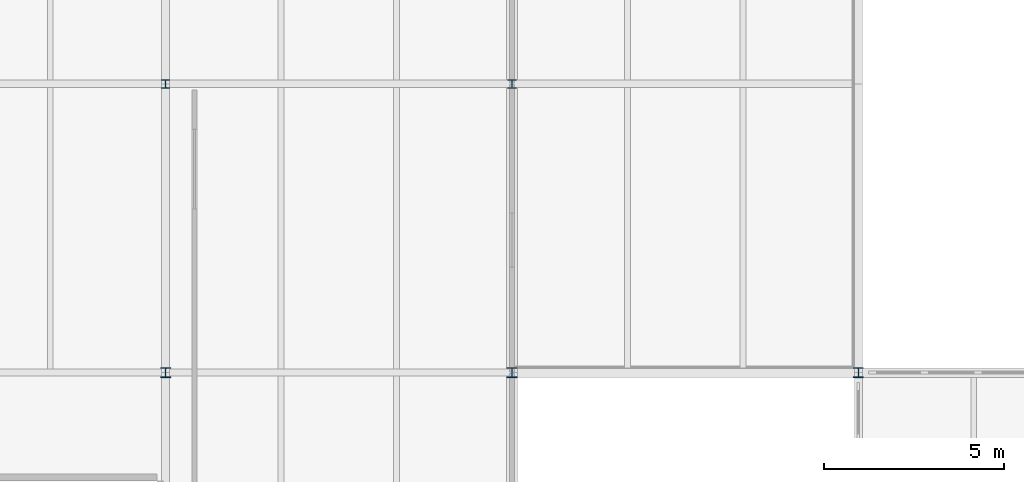
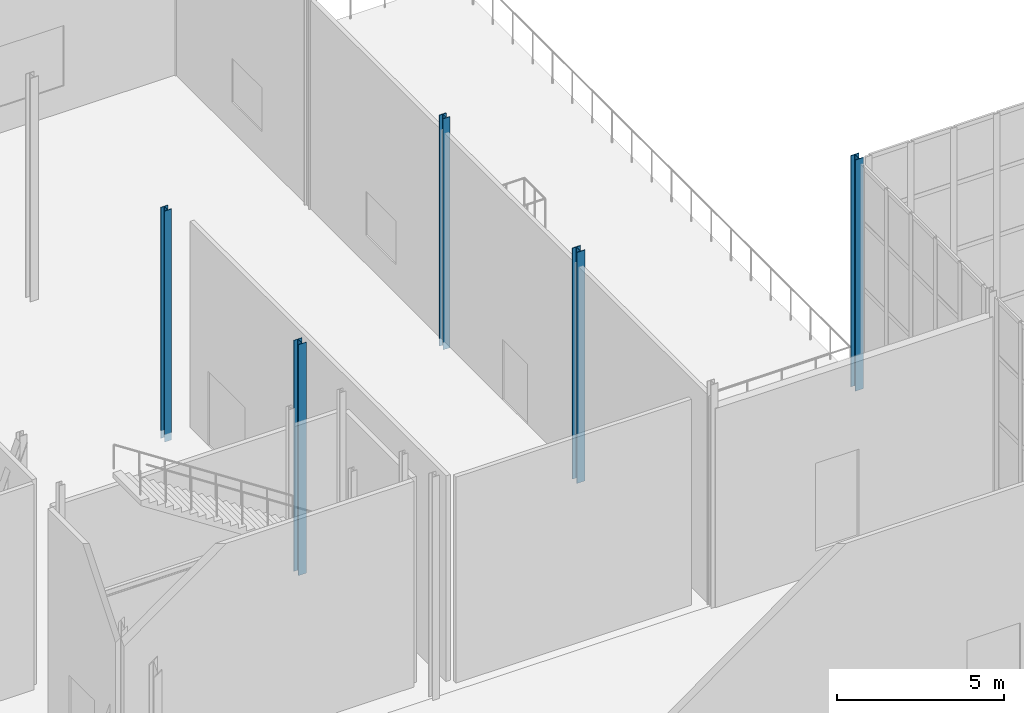
# One storey, part 7 of 73: 5 columns.
"""IFC4 building model written with IfcOpenShell, lengths in metres."""

from ifc_helpers import new_model, si_unit, direction, frame, origin, origin_2d, place, context, subcontext, project, spatial, i_section, extrude, material, material_profile, profile_set, type_object, element, save


model = new_model("IFC4")

# Units and contexts
model_context = context("Model", 3, precision=1e-05, world=origin(), true_north=direction((0.0, 1.0)))
body_context = subcontext(model_context, "Body", "Model", "MODEL_VIEW")
ifc_project = project(units=[si_unit("LENGTHUNIT", "METRE"), si_unit("AREAUNIT", "SQUARE_METRE"), si_unit("VOLUMEUNIT", "CUBIC_METRE"), si_unit("PLANEANGLEUNIT", "RADIAN"), si_unit("MASSUNIT", "GRAM", prefix="KILO")], contexts=[model_context])

# Site, building, storey
site_placement = place(None, origin())
site = spatial("IfcSite", under=ifc_project, at=site_placement, CompositionType="ELEMENT")
building_placement = place(site_placement, origin())
building = spatial("IfcBuilding", under=site, at=building_placement, Name="Alderhovde Museum", CompositionType="ELEMENT")
storey_placement = place(building_placement, frame((0.0, 0.0, 17.39990234375)))
storey = spatial("IfcBuildingStorey", under=building, at=storey_placement, Name="L04", CompositionType="ELEMENT", Elevation=17.39990234375)

# Columns
ifc_material_1 = material(Name="Steel S355J2", Category="steel")
ifc_material_profile_1 = material_profile(ifc_material_1, i_section(OverallWidth=0.239990234375, OverallDepth=0.239990234375, WebThickness=0.010009765625, FlangeThickness=0.01708984375, FilletRadius=0.02099609375, at=origin_2d()), Name="HEB 240")
ifc_profile_set_1 = profile_set([ifc_material_profile_1], Name="Steel S355J2")
column_type_1 = type_object("IfcColumnType", Name="COL-HEB240", PredefinedType="COLUMN", material=ifc_profile_set_1)
for number, where, z_axis, x_axis, name in (
    (1, (38.39990234375, 96.0, -0.27978515625), (0.0, 0.0, 1.0), (1.0, 0.0, 0.0), "L04 Column (38.4, 96.0)"),
    (2, (48.0, 96.0, -0.27978515625), (0.0, 0.0, 1.0), (1.0, 0.0, 0.0), "L04 Column (48.0, 96.0)"),
):
    element("IfcColumn", number, at=place(storey_placement, frame(where, z_axis=z_axis, x_axis=x_axis)), inside=storey, type_object=column_type_1, Name=name, PredefinedType="COLUMN", context=body_context, shape_type="SweptSolid", body=[
        extrude(i_section(OverallWidth=0.239990234375, OverallDepth=0.239990234375, WebThickness=0.010009765625, FlangeThickness=0.01708984375, FilletRadius=0.02099609375, at=origin_2d()), origin(), (0.0, 0.0, 1.0), 8.419921875),
    ])
ifc_material_2 = material(Name="Steel S355J2", Category="steel")
ifc_material_profile_2 = material_profile(ifc_material_2, i_section(OverallWidth=0.280029296875, OverallDepth=0.280029296875, WebThickness=0.010498046875, FlangeThickness=0.01806640625, FilletRadius=0.02392578125, at=origin_2d()), Name="HEB 280")
ifc_profile_set_2 = profile_set([ifc_material_profile_2], Name="Steel S355J2")
column_type_2 = type_object("IfcColumnType", Name="COL-HEB280", PredefinedType="COLUMN", material=ifc_profile_set_2)
for number, where, z_axis, x_axis, name in (
    (3, (38.39990234375, 88.0, -0.27978515625), (0.0, 0.0, 1.0), (1.0, 0.0, 0.0), "L04 Column (38.4, 88.0)"),
    (4, (48.0, 88.0, -0.27978515625), (0.0, 0.0, 1.0), (1.0, 0.0, 0.0), "L04 Column (48.0, 88.0)"),
):
    element("IfcColumn", number, at=place(storey_placement, frame(where, z_axis=z_axis, x_axis=x_axis)), inside=storey, type_object=column_type_2, Name=name, PredefinedType="COLUMN", context=body_context, shape_type="SweptSolid", body=[
        extrude(i_section(OverallWidth=0.280029296875, OverallDepth=0.280029296875, WebThickness=0.010498046875, FlangeThickness=0.01806640625, FilletRadius=0.02392578125, at=origin_2d()), origin(), (0.0, 0.0, 1.0), 8.419921875),
    ])
column_placement = place(storey_placement, frame((57.60009765625, 88.0, -0.27978515625), z_axis=(0.0, 0.0, 1.0), x_axis=(1.0, 0.0, 0.0)))
element("IfcColumn", 5, at=column_placement, inside=storey, type_object=column_type_2, Name="L04 Column (57.6, 88.0)", PredefinedType="COLUMN", context=body_context, shape_type="SweptSolid", body=[
    extrude(i_section(OverallWidth=0.280029296875, OverallDepth=0.280029296875, WebThickness=0.010498046875, FlangeThickness=0.01806640625, FilletRadius=0.02392578125, at=origin_2d()), origin(), (0.0, 0.0, 1.0), 8.429931640625),
])

save(model, "model.ifc")
